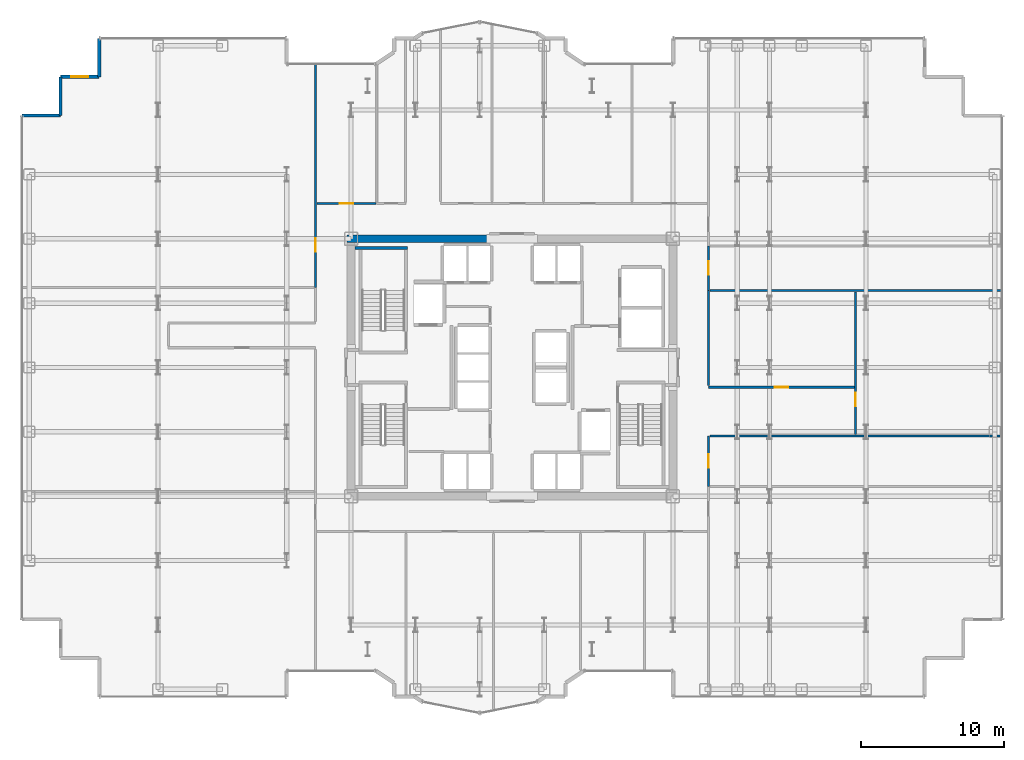
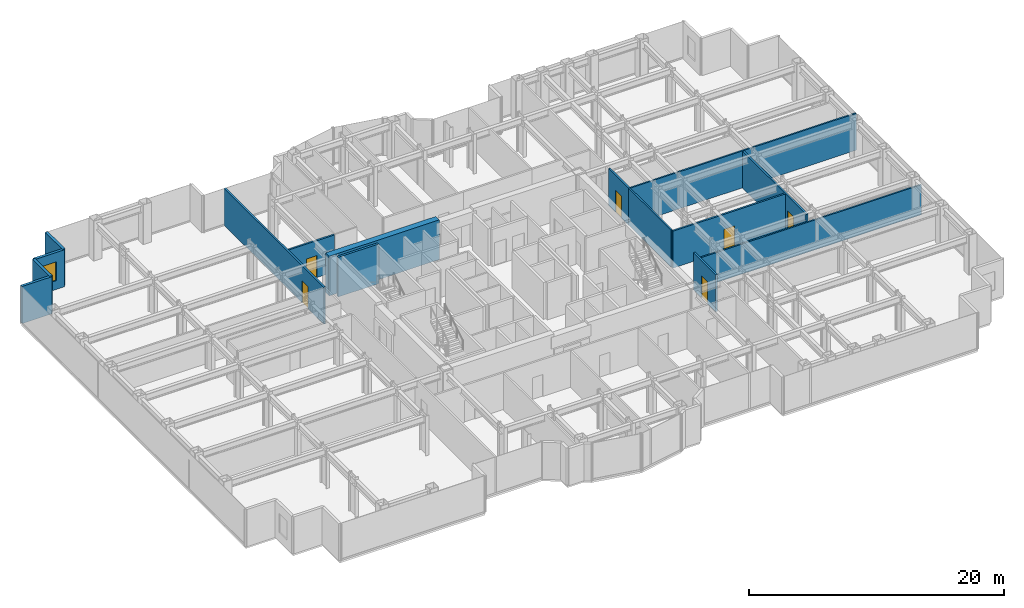
# One storey, part 23 of 26: 15 walls, 6 doors, 1 window, 7 openings.
"""IFC4 building model written with IfcOpenShell, lengths in metres."""

from ifc_helpers import new_model, si_unit, direction, frame, frame_2d, origin, place, context, subcontext, project, spatial, rectangle, extrude, source, transform, mapped, material, layer, layer_set, type_object, element, fill, save


model = new_model("IFC4")

# Units and contexts
model_context = context("Model", 3, precision=1e-05, world=origin(), true_north=direction((0.0, 1.0)))
body_context = subcontext(model_context, "Body", "Model", "MODEL_VIEW")
ifc_project = project(units=[si_unit("LENGTHUNIT", "METRE"), si_unit("AREAUNIT", "SQUARE_METRE"), si_unit("VOLUMEUNIT", "CUBIC_METRE"), si_unit("PLANEANGLEUNIT", "RADIAN"), si_unit("MASSUNIT", "GRAM", prefix="KILO")], contexts=[model_context])

# Site, building, storey
site_placement = place(None, origin())
site = spatial("IfcSite", under=ifc_project, at=site_placement, CompositionType="ELEMENT")
building_placement = place(site_placement, origin())
building = spatial("IfcBuilding", under=site, at=building_placement, Name="Nefas-Gora Pilgrimage Tower", CompositionType="ELEMENT")
storey_placement = place(building_placement, frame((0.0, 0.0, 128.800048828125)))
storey = spatial("IfcBuildingStorey", under=building, at=storey_placement, Name="L31", CompositionType="ELEMENT", Elevation=128.800048828125)

# Walls
ifc_material_1 = material(Name="Concrete C60/75", Category="concrete")
ifc_layer_1 = layer(ifc_material_1, 0.550048828125)
ifc_layer_set_1 = layer_set([ifc_layer_1], Name="Concrete C60/75")
wall_type_1 = type_object("IfcWallType", Name="SW-CORE-550", PredefinedType="SHEAR", material=ifc_layer_set_1)
shared_shape_1 = source(origin(), body_context, "Body", "SweptSolid", [
    extrude(rectangle(XDim=9.974853515625, YDim=0.550048828125, at=frame_2d((4.9873046875, 0.0))), origin(), (0.0, 0.0, 1.0), 3.800048828125),
])
wall_1_placement = place(storey_placement, frame((-11.52490234375, 9.0, 0.0), z_axis=(0.0, 0.0, 1.0), x_axis=(1.0, 0.0, 0.0)))
element("IfcWall", 1, at=wall_1_placement, inside=storey, type_object=wall_type_1, Name="L31 Core Shear Wall N-West", PredefinedType="SHEAR", context=body_context, shape_type="MappedRepresentation", body=[
    mapped(shared_shape_1, transform((0.0, 0.0, 0.0), x_axis=(1.0, 0.0, 0.0), y_axis=(0.0, 1.0, 0.0), z_axis=(0.0, 0.0, 1.0), scale=1.0)),
])
ifc_material_2 = material(Name="Precast concrete C45/55", Category="concrete")
ifc_layer_2 = layer(ifc_material_2, 0.239990234375)
ifc_layer_set_2 = layer_set([ifc_layer_2], Name="Precast concrete C45/55")
wall_type_2 = type_object("IfcWallType", Name="EW-SERR-240", PredefinedType="SHEAR", material=ifc_layer_set_2)
shared_shape_2 = source(origin(), body_context, "Body", "SweptSolid", [
    extrude(rectangle(XDim=2.699951171875, YDim=0.239990234375, at=frame_2d((1.35009765625, 0.0))), origin(), (0.0, 0.0, 1.0), 3.550048828125),
])
wall_2_placement = place(storey_placement, frame((-28.8701171875, 23.02001953125, 0.0), z_axis=(0.0, 0.0, 1.0), x_axis=(0.0, -1.0, 0.0)))
element("IfcWall", 2, at=wall_2_placement, inside=storey, type_object=wall_type_2, Name="L31 Serrated Corner Shear Pier Wall 20", PredefinedType="SHEAR", context=body_context, shape_type="MappedRepresentation", body=[
    mapped(shared_shape_2, transform((0.0, 0.0, 0.0), x_axis=(1.0, 0.0, 0.0), y_axis=(0.0, 1.0, 0.0), z_axis=(0.0, 0.0, 1.0), scale=1.0)),
])

# Wall, opening, window
wall_3_placement = place(storey_placement, frame((-28.8701171875, 20.320068359375, 0.0), z_axis=(0.0, 0.0, 1.0), x_axis=(-1.0, 0.0, 0.0)))
wall_3 = element("IfcWall", 3, at=wall_3_placement, inside=storey, type_object=wall_type_2, Name="L31 Serrated Corner Shear Pier Wall 21", PredefinedType="SHEAR", context=body_context, shape_type="MappedRepresentation", body=[
    mapped(shared_shape_2, transform((0.0, 0.0, 0.0), x_axis=(1.0, 0.0, 0.0), y_axis=(0.0, 1.0, 0.0), z_axis=(0.0, 0.0, 1.0), scale=1.0)),
])
opening_1_placement = place(wall_3_placement, frame((0.75, 0.0, 0.85009765625)))
opening_1 = element("IfcOpeningElement", 4, at=opening_1_placement, cuts=wall_3, Name="Opening W-V1", PredefinedType="OPENING", context=body_context, shape_type="SweptSolid", body=[
    extrude(rectangle(XDim=1.199951171875, YDim=1.800048828125, at=frame_2d((0.60009765625, 0.89990234375))), frame((0.0, 0.1298828125, 0.0), z_axis=(0.0, -1.0, 0.0), x_axis=(1.0, 0.0, 0.0)), (0.0, 0.0, 1.0), 0.260009765625),
])
ifc_material_3 = material(Name="Dark ceramic-fritted operable aluminium-glass window", Category="aluminium")
window_type = type_object("IfcWindowType", Name="WIN-VENT-1200x1800", PartitioningType="SINGLE_PANEL", PredefinedType="WINDOW", material=ifc_material_3)
shared_shape_3 = source(origin(), body_context, "Body", "SweptSolid", [
    extrude(rectangle(XDim=1.199951171875, YDim=1.800048828125, at=frame_2d((0.60009765625, 0.89990234375))), frame((0.0, 0.030029296875, 0.0), z_axis=(0.0, -1.0, 0.0), x_axis=(1.0, 0.0, 0.0)), (0.0, 0.0, 1.0), 0.06005859375),
])
window_placement = place(opening_1_placement, origin())
window = element("IfcWindow", 5, at=window_placement, inside=storey, type_object=window_type, Name="L31 Operable Parallel-Outswing Window 21", OverallHeight=1.800048828125, OverallWidth=1.199951171875, PartitioningType="SINGLE_PANEL", PredefinedType="WINDOW", context=body_context, shape_type="MappedRepresentation", body=[
    mapped(shared_shape_3, transform((0.0, 0.0, 0.0), x_axis=(1.0, 0.0, 0.0), y_axis=(0.0, 1.0, 0.0), z_axis=(0.0, 0.0, 1.0), scale=1.0)),
])
fill(opening_1, window)

# Walls
for number, where, z_axis, x_axis, name in (
    (6, (-31.570068359375, 20.320068359375, 0.0), (0.0, 0.0, 1.0), (0.0, -1.0, 0.0), "L31 Serrated Corner Shear Pier Wall 22"),
    (7, (-31.570068359375, 17.6201171875, 0.0), (0.0, 0.0, 1.0), (-1.0, 0.0, 0.0), "L31 Serrated Corner Shear Pier Wall 23"),
):
    element("IfcWall", number, at=place(storey_placement, frame(where, z_axis=z_axis, x_axis=x_axis)), inside=storey, type_object=wall_type_2, Name=name, PredefinedType="SHEAR", context=body_context, shape_type="MappedRepresentation", body=[
        mapped(shared_shape_2, transform((0.0, 0.0, 0.0), x_axis=(1.0, 0.0, 0.0), y_axis=(0.0, 1.0, 0.0), z_axis=(0.0, 0.0, 1.0), scale=1.0)),
    ])
ifc_material_4 = material(Name="Concrete C45/55", Category="concrete")
ifc_layer_3 = layer(ifc_material_4, 0.199951171875)
ifc_layer_set_3 = layer_set([ifc_layer_3], Name="Concrete C45/55")
wall_type_3 = type_object("IfcWallType", Name="IW-STAIR-200", PredefinedType="SOLIDWALL", material=ifc_layer_set_3)
shared_shape_4 = source(origin(), body_context, "Body", "SweptSolid", [
    extrude(rectangle(XDim=3.679931640625, YDim=0.199951171875, at=frame_2d((1.83984375, 0.0))), origin(), (0.0, 0.0, 1.0), 3.800048828125),
])
wall_4_placement = place(storey_placement, frame((-7.300048828125, 8.35009765625, 0.0), z_axis=(0.0, 0.0, 1.0), x_axis=(-1.0, 0.0, 0.0)))
element("IfcWall", 8, at=wall_4_placement, inside=storey, type_object=wall_type_3, Name="L31 Stairwell Shear Wall ST-01-far", PredefinedType="SOLIDWALL", context=body_context, shape_type="MappedRepresentation", body=[
    mapped(shared_shape_4, transform((0.0, 0.0, 0.0), x_axis=(1.0, 0.0, 0.0), y_axis=(0.0, 1.0, 0.0), z_axis=(0.0, 0.0, 1.0), scale=1.0)),
])

# Wall, opening, door
ifc_material_5 = material(Name="Gypsum acoustic stud partition")
ifc_layer_4 = layer(ifc_material_5, 0.159912109375)
ifc_layer_set_4 = layer_set([ifc_layer_4], Name="Gypsum acoustic stud partition")
wall_type_4 = type_object("IfcWallType", Name="IW-CORR-160", PredefinedType="PARTITIONING", material=ifc_layer_set_4)
shared_shape_5 = source(origin(), body_context, "Body", "SweptSolid", [
    extrude(rectangle(XDim=10.25, YDim=0.159912109375, at=frame_2d((5.125, 0.0))), origin(), (0.0, 0.0, 1.0), 3.534912109375),
])
wall_5_placement = place(storey_placement, frame((13.72998046875, -1.3798828125, 0.0), z_axis=(0.0, 0.0, 1.0), x_axis=(1.0, 0.0, 0.0)))
wall_5 = element("IfcWall", 9, at=wall_5_placement, inside=storey, type_object=wall_type_4, Name="L31 Pilgrim Tea and Beverage Pantry Partition Wall 36", PredefinedType="PARTITIONING", context=body_context, shape_type="MappedRepresentation", body=[
    mapped(shared_shape_5, transform((0.0, 0.0, 0.0), x_axis=(1.0, 0.0, 0.0), y_axis=(0.0, 1.0, 0.0), z_axis=(0.0, 0.0, 1.0), scale=1.0)),
])
opening_2_placement = place(wall_5_placement, frame((4.64990234375, 0.0, 0.0)))
opening_2 = element("IfcOpeningElement", 10, at=opening_2_placement, cuts=wall_5, Name="Opening ID-GR1", PredefinedType="OPENING", context=body_context, shape_type="SweptSolid", body=[
    extrude(rectangle(XDim=0.949951171875, YDim=2.10009765625, at=frame_2d((0.47509765625, 1.050048828125))), frame((0.0, 0.08984375, 0.0), z_axis=(0.0, -1.0, 0.0), x_axis=(1.0, 0.0, 0.0)), (0.0, 0.0, 1.0), 0.179931640625),
])
ifc_material_6 = material(Name="Solid core oak fire-rated guest entrance door")
door_type = type_object("IfcDoorType", Name="DR-INT-GUEST-950", OperationType="NOTDEFINED", PredefinedType="DOOR", material=ifc_material_6)
shared_shape_6 = source(origin(), body_context, "Body", "SweptSolid", [
    extrude(rectangle(XDim=0.949951171875, YDim=2.10009765625, at=frame_2d((0.47509765625, 1.050048828125))), frame((0.0, 0.02490234375, 0.0), z_axis=(0.0, -1.0, 0.0), x_axis=(1.0, 0.0, 0.0)), (0.0, 0.0, 1.0), 0.050048828125),
])
door_1_placement = place(opening_2_placement, origin())
door_1 = element("IfcDoor", 11, at=door_1_placement, inside=storey, type_object=door_type, Name="L31 Pilgrim Tea and Beverage Pantry Door 14", OperationType="SINGLE_SWING_RIGHT", OverallHeight=2.10009765625, OverallWidth=0.949951171875, PredefinedType="DOOR", context=body_context, shape_type="MappedRepresentation", body=[
    mapped(shared_shape_6, transform((0.0, 0.0, 0.0), x_axis=(1.0, 0.0, 0.0), y_axis=(0.0, 1.0, 0.0), z_axis=(0.0, 0.0, 1.0), scale=1.0)),
])
fill(opening_2, door_1)

shared_shape_7 = source(origin(), body_context, "Body", "SweptSolid", [
    extrude(rectangle(XDim=4.125, YDim=0.159912109375, at=frame_2d((2.0625, 0.0))), origin(), (0.0, 0.0, 1.0), 3.534912109375),
])
wall_6_placement = place(storey_placement, frame((-13.6201171875, 11.469970703125, 0.0), z_axis=(0.0, 0.0, 1.0), x_axis=(1.0, 0.0, 0.0)))
wall_6 = element("IfcWall", 12, at=wall_6_placement, inside=storey, type_object=wall_type_4, Name="L31 Pilgrim Contemplative Lounge Partition Wall 43", PredefinedType="PARTITIONING", context=body_context, shape_type="MappedRepresentation", body=[
    mapped(shared_shape_7, transform((0.0, 0.0, 0.0), x_axis=(1.0, 0.0, 0.0), y_axis=(0.0, 1.0, 0.0), z_axis=(0.0, 0.0, 1.0), scale=1.0)),
])
opening_3_placement = place(wall_6_placement, frame((1.58740234375, 0.0, 0.0)))
opening_3 = element("IfcOpeningElement", 13, at=opening_3_placement, cuts=wall_6, Name="Opening ID-GR1", PredefinedType="OPENING", context=body_context, shape_type="SweptSolid", body=[
    extrude(rectangle(XDim=0.949951171875, YDim=2.10009765625, at=frame_2d((0.47509765625, 1.050048828125))), frame((0.0, 0.08984375, 0.0), z_axis=(0.0, -1.0, 0.0), x_axis=(1.0, 0.0, 0.0)), (0.0, 0.0, 1.0), 0.179931640625),
])
door_2_placement = place(opening_3_placement, origin())
door_2 = element("IfcDoor", 14, at=door_2_placement, inside=storey, type_object=door_type, Name="L31 Pilgrim Contemplative Lounge Door 18", OperationType="SINGLE_SWING_RIGHT", OverallHeight=2.10009765625, OverallWidth=0.949951171875, PredefinedType="DOOR", context=body_context, shape_type="MappedRepresentation", body=[
    mapped(shared_shape_6, transform((0.0, 0.0, 0.0), x_axis=(1.0, 0.0, 0.0), y_axis=(0.0, 1.0, 0.0), z_axis=(0.0, 0.0, 1.0), scale=1.0)),
])
fill(opening_3, door_2)

# Walls
ifc_material_7 = material(Name="Gypsum twin-stud partition")
ifc_layer_5 = layer(ifc_material_7, 0.139892578125)
ifc_layer_set_5 = layer_set([ifc_layer_5], Name="Gypsum twin-stud partition")
wall_type_5 = type_object("IfcWallType", Name="IW-UNIT-140", PredefinedType="PARTITIONING", material=ifc_layer_set_5)
shared_shape_8 = source(origin(), body_context, "Body", "SweptSolid", [
    extrude(rectangle(XDim=20.43994140625, YDim=0.139892578125, at=frame_2d((10.219970703125, 0.0))), origin(), (0.0, 0.0, 1.0), 3.534912109375),
])
wall_7_placement = place(storey_placement, frame((13.85009765625, 5.39501953125, 0.0), z_axis=(0.0, 0.0, 1.0), x_axis=(1.0, 0.0, 0.0)))
element("IfcWall", 15, at=wall_7_placement, inside=storey, type_object=wall_type_5, Name="L31 Pilgrim Tea and Beverage Pantry Partition Wall 38", PredefinedType="PARTITIONING", context=body_context, shape_type="MappedRepresentation", body=[
    mapped(shared_shape_8, transform((0.0, 0.0, 0.0), x_axis=(1.0, 0.0, 0.0), y_axis=(0.0, 1.0, 0.0), z_axis=(0.0, 0.0, 1.0), scale=1.0)),
])
shared_shape_9 = source(origin(), body_context, "Body", "SweptSolid", [
    extrude(rectangle(XDim=6.6650390625, YDim=0.139892578125, at=frame_2d((3.33251953125, 0.0))), origin(), (0.0, 0.0, 1.0), 3.534912109375),
])
wall_8_placement = place(storey_placement, frame((13.739990234375, -1.260009765625, 0.0), z_axis=(0.0, 0.0, 1.0), x_axis=(0.0, 1.0, 0.0)))
element("IfcWall", 16, at=wall_8_placement, inside=storey, type_object=wall_type_5, Name="L31 Pilgrim Tea and Beverage Pantry Partition Wall 37", PredefinedType="PARTITIONING", context=body_context, shape_type="MappedRepresentation", body=[
    mapped(shared_shape_9, transform((0.0, 0.0, 0.0), x_axis=(1.0, 0.0, 0.0), y_axis=(0.0, 1.0, 0.0), z_axis=(0.0, 0.0, 1.0), scale=1.0)),
])
shared_shape_10 = source(origin(), body_context, "Body", "SweptSolid", [
    extrude(rectangle(XDim=20.429931640625, YDim=0.139892578125, at=frame_2d((10.21484375, 0.0))), origin(), (0.0, 0.0, 1.0), 2.875),
])
wall_9_placement = place(storey_placement, frame((13.860107421875, -4.804931640625, 0.0), z_axis=(0.0, 0.0, 1.0), x_axis=(1.0, 0.0, 0.0)))
element("IfcWall", 17, at=wall_9_placement, inside=storey, type_object=wall_type_5, Name="L31 Pilgrim Tea and Beverage Pantry Partition Wall 35", PredefinedType="PARTITIONING", context=body_context, shape_type="MappedRepresentation", body=[
    mapped(shared_shape_10, transform((0.0, 0.0, 0.0), x_axis=(1.0, 0.0, 0.0), y_axis=(0.0, 1.0, 0.0), z_axis=(0.0, 0.0, 1.0), scale=1.0)),
])

# Wall, opening, door
shared_shape_11 = source(origin(), body_context, "Body", "SweptSolid", [
    extrude(rectangle(XDim=15.64501953125, YDim=0.159912109375, at=frame_2d((7.822509765625, 0.0))), origin(), (0.0, 0.0, 1.0), 3.534912109375),
])
wall_10_placement = place(storey_placement, frame((-13.739990234375, 5.594970703125, 0.0), z_axis=(0.0, 0.0, 1.0), x_axis=(0.0, 1.0, 0.0)))
wall_10 = element("IfcWall", 18, at=wall_10_placement, inside=storey, type_object=wall_type_4, Name="L31 Pilgrim Floor Concierge Foyer Partition Wall 31", PredefinedType="PARTITIONING", context=body_context, shape_type="MappedRepresentation", body=[
    mapped(shared_shape_11, transform((0.0, 0.0, 0.0), x_axis=(1.0, 0.0, 0.0), y_axis=(0.0, 1.0, 0.0), z_axis=(0.0, 0.0, 1.0), scale=1.0)),
])
opening_4_placement = place(wall_10_placement, frame((2.482421875, 0.0, 0.0)))
opening_4 = element("IfcOpeningElement", 19, at=opening_4_placement, cuts=wall_10, Name="Opening ID-GR1", PredefinedType="OPENING", context=body_context, shape_type="SweptSolid", body=[
    extrude(rectangle(XDim=0.949951171875, YDim=2.10009765625, at=frame_2d((0.47509765625, 1.050048828125))), frame((0.0, 0.08984375, 0.0), z_axis=(0.0, -1.0, 0.0), x_axis=(1.0, 0.0, 0.0)), (0.0, 0.0, 1.0), 0.179931640625),
])
door_3_placement = place(opening_4_placement, origin())
door_3 = element("IfcDoor", 20, at=door_3_placement, inside=storey, type_object=door_type, Name="L31 Pilgrim Floor Concierge Foyer Door 11", OperationType="SINGLE_SWING_LEFT", OverallHeight=2.10009765625, OverallWidth=0.949951171875, PredefinedType="DOOR", context=body_context, shape_type="MappedRepresentation", body=[
    mapped(shared_shape_6, transform((0.0, 0.0, 0.0), x_axis=(1.0, 0.0, 0.0), y_axis=(0.0, 1.0, 0.0), z_axis=(0.0, 0.0, 1.0), scale=1.0)),
])
fill(opening_4, door_3)

shared_shape_12 = source(origin(), body_context, "Body", "SweptSolid", [
    extrude(rectangle(XDim=3.510009765625, YDim=0.159912109375, at=frame_2d((1.7548828125, 0.0))), origin(), (0.0, 0.0, 1.0), 3.534912109375),
])
wall_11_placement = place(storey_placement, frame((13.739990234375, -8.304931640625, 0.0), z_axis=(0.0, 0.0, 1.0), x_axis=(0.0, 1.0, 0.0)))
wall_11 = element("IfcWall", 21, at=wall_11_placement, inside=storey, type_object=wall_type_4, Name="L31 Pilgrim Tea and Beverage Pantry Partition Wall 34", PredefinedType="PARTITIONING", context=body_context, shape_type="MappedRepresentation", body=[
    mapped(shared_shape_12, transform((0.0, 0.0, 0.0), x_axis=(1.0, 0.0, 0.0), y_axis=(0.0, 1.0, 0.0), z_axis=(0.0, 0.0, 1.0), scale=1.0)),
])
opening_5_placement = place(wall_11_placement, frame((1.280029296875, 0.0, 0.0)))
opening_5 = element("IfcOpeningElement", 22, at=opening_5_placement, cuts=wall_11, Name="Opening ID-GR1", PredefinedType="OPENING", context=body_context, shape_type="SweptSolid", body=[
    extrude(rectangle(XDim=0.949951171875, YDim=2.10009765625, at=frame_2d((0.47509765625, 1.050048828125))), frame((0.0, 0.08984375, 0.0), z_axis=(0.0, -1.0, 0.0), x_axis=(1.0, 0.0, 0.0)), (0.0, 0.0, 1.0), 0.179931640625),
])
door_4_placement = place(opening_5_placement, origin())
door_4 = element("IfcDoor", 23, at=door_4_placement, inside=storey, type_object=door_type, Name="L31 Pilgrim Tea and Beverage Pantry Door 13", OperationType="SINGLE_SWING_LEFT", OverallHeight=2.10009765625, OverallWidth=0.949951171875, PredefinedType="DOOR", context=body_context, shape_type="MappedRepresentation", body=[
    mapped(shared_shape_6, transform((0.0, 0.0, 0.0), x_axis=(1.0, 0.0, 0.0), y_axis=(0.0, 1.0, 0.0), z_axis=(0.0, 0.0, 1.0), scale=1.0)),
])
fill(opening_5, door_4)

shared_shape_13 = source(origin(), body_context, "Body", "SweptSolid", [
    extrude(rectangle(XDim=9.97998046875, YDim=0.159912109375, at=frame_2d((4.989990234375, 0.0))), origin(), (0.0, 0.0, 1.0), 3.534912109375),
])
wall_12_placement = place(storey_placement, frame((24.02001953125, -4.695068359375, 0.0), z_axis=(0.0, 0.0, 1.0), x_axis=(0.0, 1.0, 0.0)))
wall_12 = element("IfcWall", 24, at=wall_12_placement, inside=storey, type_object=wall_type_4, Name="L31 Pilgrim Tea and Beverage Pantry Partition Wall 39", PredefinedType="PARTITIONING", context=body_context, shape_type="MappedRepresentation", body=[
    mapped(shared_shape_13, transform((0.0, 0.0, 0.0), x_axis=(1.0, 0.0, 0.0), y_axis=(0.0, 1.0, 0.0), z_axis=(0.0, 0.0, 1.0), scale=1.0)),
])
opening_6_placement = place(wall_12_placement, frame((1.969970703125, 0.0, 0.0)))
opening_6 = element("IfcOpeningElement", 25, at=opening_6_placement, cuts=wall_12, Name="Opening ID-GR1", PredefinedType="OPENING", context=body_context, shape_type="SweptSolid", body=[
    extrude(rectangle(XDim=0.949951171875, YDim=2.10009765625, at=frame_2d((0.47509765625, 1.050048828125))), frame((0.0, 0.08984375, 0.0), z_axis=(0.0, -1.0, 0.0), x_axis=(1.0, 0.0, 0.0)), (0.0, 0.0, 1.0), 0.179931640625),
])
door_5_placement = place(opening_6_placement, origin())
door_5 = element("IfcDoor", 26, at=door_5_placement, inside=storey, type_object=door_type, Name="L31 Pilgrim Tea and Beverage Pantry Door 15", OperationType="SINGLE_SWING_LEFT", OverallHeight=2.10009765625, OverallWidth=0.949951171875, PredefinedType="DOOR", context=body_context, shape_type="MappedRepresentation", body=[
    mapped(shared_shape_6, transform((0.0, 0.0, 0.0), x_axis=(1.0, 0.0, 0.0), y_axis=(0.0, 1.0, 0.0), z_axis=(0.0, 0.0, 1.0), scale=1.0)),
])
fill(opening_6, door_5)

shared_shape_14 = source(origin(), body_context, "Body", "SweptSolid", [
    extrude(rectangle(XDim=3.10986328125, YDim=0.159912109375, at=frame_2d((1.554931640625, 0.0))), origin(), (0.0, 0.0, 1.0), 3.534912109375),
])
wall_13_placement = place(storey_placement, frame((13.739990234375, 5.39501953125, 0.0), z_axis=(0.0, 0.0, 1.0), x_axis=(0.0, 1.0, 0.0)))
wall_13 = element("IfcWall", 27, at=wall_13_placement, inside=storey, type_object=wall_type_4, Name="L31 Pilgrim Fellowship Seminar Room Partition Wall 40", PredefinedType="PARTITIONING", context=body_context, shape_type="MappedRepresentation", body=[
    mapped(shared_shape_14, transform((0.0, 0.0, 0.0), x_axis=(1.0, 0.0, 0.0), y_axis=(0.0, 1.0, 0.0), z_axis=(0.0, 0.0, 1.0), scale=1.0)),
])
opening_7_placement = place(wall_13_placement, frame((1.080078125, 0.0, 0.0)))
opening_7 = element("IfcOpeningElement", 28, at=opening_7_placement, cuts=wall_13, Name="Opening ID-GR1", PredefinedType="OPENING", context=body_context, shape_type="SweptSolid", body=[
    extrude(rectangle(XDim=0.949951171875, YDim=2.10009765625, at=frame_2d((0.47509765625, 1.050048828125))), frame((0.0, 0.08984375, 0.0), z_axis=(0.0, -1.0, 0.0), x_axis=(1.0, 0.0, 0.0)), (0.0, 0.0, 1.0), 0.179931640625),
])
door_6_placement = place(opening_7_placement, origin())
door_6 = element("IfcDoor", 29, at=door_6_placement, inside=storey, type_object=door_type, Name="L31 Pilgrim Fellowship Seminar Room Door 16", OperationType="SINGLE_SWING_RIGHT", OverallHeight=2.10009765625, OverallWidth=0.949951171875, PredefinedType="DOOR", context=body_context, shape_type="MappedRepresentation", body=[
    mapped(shared_shape_6, transform((0.0, 0.0, 0.0), x_axis=(1.0, 0.0, 0.0), y_axis=(0.0, 1.0, 0.0), z_axis=(0.0, 0.0, 1.0), scale=1.0)),
])
fill(opening_7, door_6)

save(model, "model.ifc")
